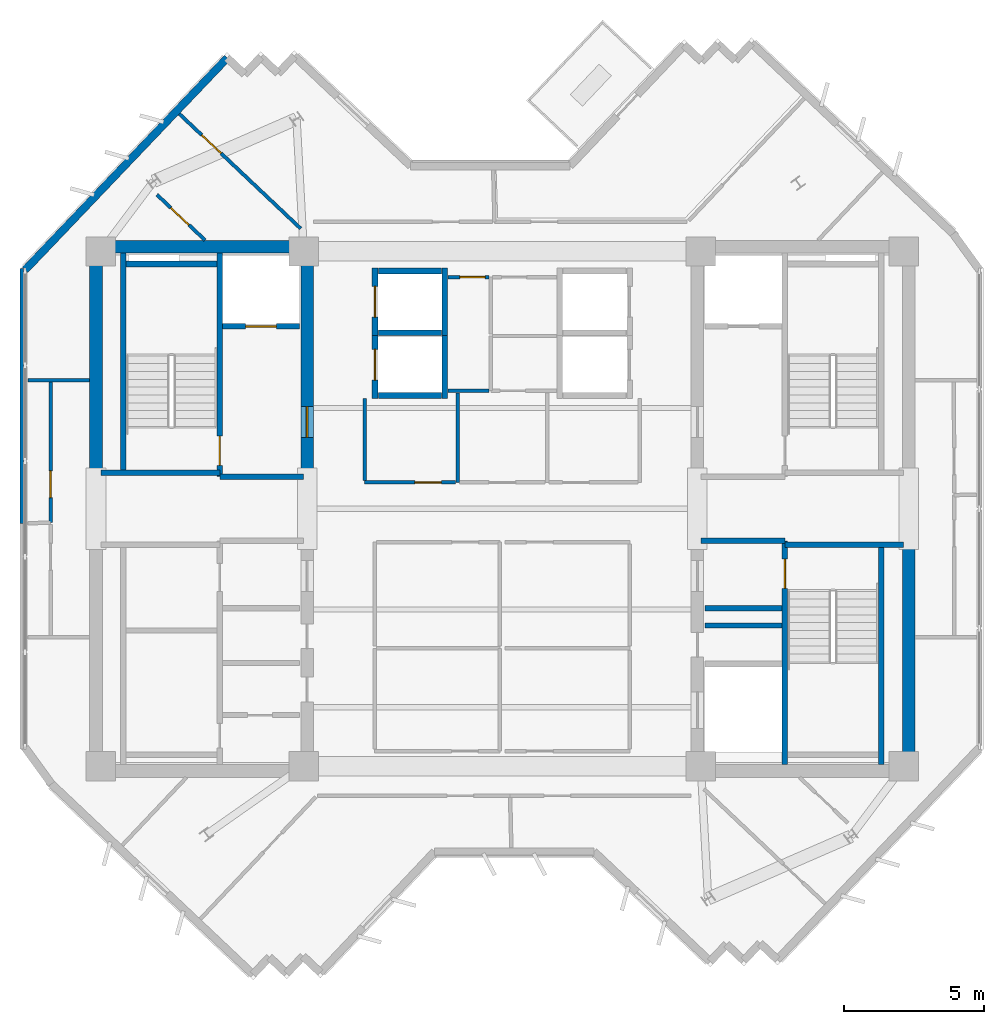
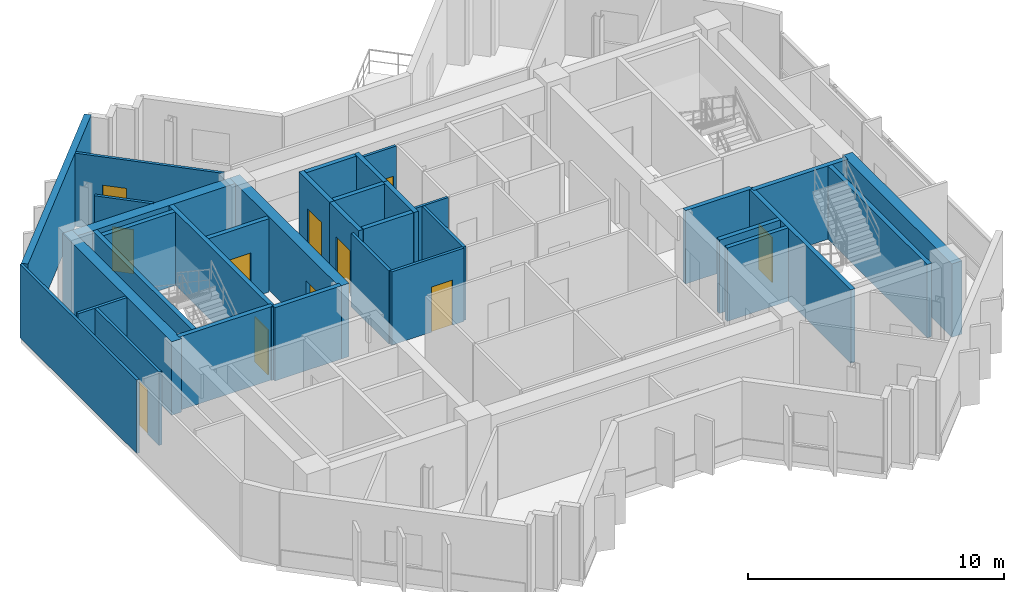
# One storey, part 5 of 9: 34 walls, 11 doors, 11 openings.
"""IFC4 building model written with IfcOpenShell, lengths in metres."""

from ifc_helpers import new_model, si_unit, direction, frame, frame_2d, origin, place, context, subcontext, project, spatial, rectangle, extrude, source, transform, mapped, material, layer, layer_set, type_object, element, fill, save


model = new_model("IFC4")

# Units and contexts
model_context = context("Model", 3, precision=1e-05, world=origin(), true_north=direction((0.0, 1.0)))
body_context = subcontext(model_context, "Body", "Model", "MODEL_VIEW")
ifc_project = project(units=[si_unit("LENGTHUNIT", "METRE"), si_unit("AREAUNIT", "SQUARE_METRE"), si_unit("VOLUMEUNIT", "CUBIC_METRE"), si_unit("PLANEANGLEUNIT", "RADIAN"), si_unit("MASSUNIT", "GRAM", prefix="KILO")], contexts=[model_context])

# Site, building, storey
site_placement = place(None, origin())
site = spatial("IfcSite", under=ifc_project, at=site_placement, CompositionType="ELEMENT")
building_placement = place(site_placement, origin())
building = spatial("IfcBuilding", under=site, at=building_placement, Name="Zahravan Cultural Tower", CompositionType="ELEMENT")
storey_placement = place(building_placement, frame((0.0, 0.0, 302.85009765625)))
storey = spatial("IfcBuildingStorey", under=building, at=storey_placement, Name="L73", CompositionType="ELEMENT", Elevation=302.85009765625)

# Wall, opening, door
ifc_material_1 = material(Name="Concrete C50/60", Category="concrete")
ifc_layer_1 = layer(ifc_material_1, 0.449951171875)
ifc_layer_set_1 = layer_set([ifc_layer_1], Name="Concrete C50/60")
wall_type_1 = type_object("IfcWallType", Name="CW-SHEAR-450-C50", PredefinedType="SHEAR", material=ifc_layer_set_1)
wall_1_placement = place(storey_placement, frame((29.02490234375, 28.050048828125, 0.0), z_axis=(0.0, 0.0, 1.0), x_axis=(0.0, 1.0, 0.0)))
wall_1 = element("IfcWall", 1, at=wall_1_placement, inside=storey, type_object=wall_type_1, Name="L73 Core Shear Wall CW-W-EN-L73", PredefinedType="SHEAR", context=body_context, shape_type="SweptSolid", body=[
    extrude(rectangle(XDim=8.550048828125, YDim=0.449951171875, at=frame_2d((4.27490234375, 0.0))), origin(), (0.0, 0.0, 1.0), 3.5),
])
opening_1_placement = place(wall_1_placement, frame((1.5, 0.0, 0.0)))
opening_1 = element("IfcOpeningElement", 2, at=opening_1_placement, cuts=wall_1, Name="Opening D-L73-06", PredefinedType="OPENING", context=body_context, shape_type="SweptSolid", body=[
    extrude(rectangle(XDim=1.10009765625, YDim=2.199951171875, at=frame_2d((0.550048828125, 1.10009765625))), frame((0.0, 0.23486328125, 0.0), z_axis=(0.0, -1.0, 0.0), x_axis=(1.0, 0.0, 0.0)), (0.0, 0.0, 1.0), 0.469970703125),
])
ifc_material_2 = material(Name="Steel ASTM A572 Grade 50", Category="steel")
door_type_1 = type_object("IfcDoorType", Name="DR-LOBBY-1100", OperationType="NOTDEFINED", PredefinedType="DOOR", material=ifc_material_2)
shared_shape_1 = source(origin(), body_context, "Body", "SweptSolid", [
    extrude(rectangle(XDim=1.10009765625, YDim=2.199951171875, at=frame_2d((0.550048828125, 1.10009765625))), frame((0.0, 0.02490234375, 0.0), z_axis=(0.0, -1.0, 0.0), x_axis=(1.0, 0.0, 0.0)), (0.0, 0.0, 1.0), 0.050048828125),
])
door_1_placement = place(opening_1_placement, origin())
door_1 = element("IfcDoor", 3, at=door_1_placement, inside=storey, type_object=door_type_1, Name="L73 Door D-L73-06", OperationType="SINGLE_SWING_RIGHT", OverallHeight=2.199951171875, OverallWidth=1.10009765625, PredefinedType="DOOR", context=body_context, shape_type="MappedRepresentation", body=[
    mapped(shared_shape_1, transform((0.0, 0.0, 0.0), x_axis=(1.0, 0.0, 0.0), y_axis=(0.0, 1.0, 0.0), z_axis=(0.0, 0.0, 1.0), scale=1.0)),
])
fill(opening_1, door_1)

ifc_material_3 = material(Name="Gypsum plasterboard partition")
ifc_layer_2 = layer(ifc_material_3, 0.125)
ifc_layer_set_2 = layer_set([ifc_layer_2], Name="Gypsum plasterboard partition")
wall_type_2 = type_object("IfcWallType", Name="W-PART-125", PredefinedType="PARTITIONING", material=ifc_layer_set_2)
wall_2_placement = place(storey_placement, frame((23.651123046875, 38.230712890625, 0.0), z_axis=(0.0, 0.0, 1.0), x_axis=(0.726735597886, -0.686917295433, 0.0)))
wall_2 = element("IfcWall", 4, at=wall_2_placement, inside=storey, type_object=wall_type_2, Name="L73 Interior Wall 051", PredefinedType="PARTITIONING", context=body_context, shape_type="SweptSolid", body=[
    extrude(rectangle(XDim=2.36669921875, YDim=0.125, at=frame_2d((1.183349609375, 0.0))), origin(), (0.0, 0.0, 1.0), 3.5),
])
opening_2_placement = place(wall_2_placement, frame((0.6923828125, 0.0, 0.0)))
opening_2 = element("IfcOpeningElement", 5, at=opening_2_placement, cuts=wall_2, Name="Opening D-L73-36", PredefinedType="OPENING", context=body_context, shape_type="SweptSolid", body=[
    extrude(rectangle(XDim=0.8798828125, YDim=2.10009765625, at=frame_2d((0.43994140625, 1.050048828125))), frame((0.0, 0.072509765625, 0.0), z_axis=(0.0, -1.0, 0.0), x_axis=(1.0, 0.0, 0.0)), (0.0, 0.0, 1.0), 0.14501953125),
])
ifc_material_4 = material(Name="Anodised bronze-aluminium mullion", Category="aluminium")
door_type_2 = type_object("IfcDoorType", Name="DR-ROOM-880", OperationType="NOTDEFINED", PredefinedType="DOOR", material=ifc_material_4)
shared_shape_2 = source(origin(), body_context, "Body", "SweptSolid", [
    extrude(rectangle(XDim=0.8798828125, YDim=2.10009765625, at=frame_2d((0.43994140625, 1.050048828125))), frame((0.0, 0.02490234375, 0.0), z_axis=(0.0, -1.0, 0.0), x_axis=(1.0, 0.0, 0.0)), (0.0, 0.0, 1.0), 0.050048828125),
])
door_2_placement = place(opening_2_placement, origin())
door_2 = element("IfcDoor", 6, at=door_2_placement, inside=storey, type_object=door_type_2, Name="L73 Door D-L73-36", OperationType="SINGLE_SWING_RIGHT", OverallHeight=2.10009765625, OverallWidth=0.8798828125, PredefinedType="DOOR", context=body_context, shape_type="MappedRepresentation", body=[
    mapped(shared_shape_2, transform((0.0, 0.0, 0.0), x_axis=(1.0, 0.0, 0.0), y_axis=(0.0, 1.0, 0.0), z_axis=(0.0, 0.0, 1.0), scale=1.0)),
])
fill(opening_2, door_2)

wall_3_placement = place(storey_placement, frame((34.33251953125, 27.93994140625, 0.0), z_axis=(0.0, 0.0, 1.0), x_axis=(-1.0, 0.0, 0.0)))
wall_3 = element("IfcWall", 7, at=wall_3_placement, inside=storey, type_object=wall_type_2, Name="L73 Interior Wall 056", PredefinedType="PARTITIONING", context=body_context, shape_type="SweptSolid", body=[
    extrude(rectangle(XDim=3.25244140625, YDim=0.125, at=frame_2d((1.626220703125, 0.0))), origin(), (0.0, 0.0, 1.0), 3.5),
])
opening_3_placement = place(wall_3_placement, frame((0.506591796875, 0.0, 0.0)))
opening_3 = element("IfcOpeningElement", 8, at=opening_3_placement, cuts=wall_3, Name="Opening D-L73-20", PredefinedType="OPENING", context=body_context, shape_type="SweptSolid", body=[
    extrude(rectangle(XDim=0.949951171875, YDim=2.14990234375, at=frame_2d((0.47509765625, 1.074951171875))), frame((0.0, 0.072509765625, 0.0), z_axis=(0.0, -1.0, 0.0), x_axis=(1.0, 0.0, 0.0)), (0.0, 0.0, 1.0), 0.14501953125),
])
door_type_3 = type_object("IfcDoorType", Name="DR-ROOM-950", OperationType="NOTDEFINED", PredefinedType="DOOR", material=ifc_material_4)
shared_shape_3 = source(origin(), body_context, "Body", "SweptSolid", [
    extrude(rectangle(XDim=0.949951171875, YDim=2.14990234375, at=frame_2d((0.47509765625, 1.074951171875))), frame((0.0, 0.02490234375, 0.0), z_axis=(0.0, -1.0, 0.0), x_axis=(1.0, 0.0, 0.0)), (0.0, 0.0, 1.0), 0.050048828125),
])
door_3_placement = place(opening_3_placement, origin())
door_3 = element("IfcDoor", 9, at=door_3_placement, inside=storey, type_object=door_type_3, Name="L73 Door D-L73-20", OperationType="SINGLE_SWING_RIGHT", OverallHeight=2.14990234375, OverallWidth=0.949951171875, PredefinedType="DOOR", context=body_context, shape_type="MappedRepresentation", body=[
    mapped(shared_shape_3, transform((0.0, 0.0, 0.0), x_axis=(1.0, 0.0, 0.0), y_axis=(0.0, 1.0, 0.0), z_axis=(0.0, 0.0, 1.0), scale=1.0)),
])
fill(opening_3, door_3)

wall_4_placement = place(storey_placement, frame((24.45556640625, 41.11669921875, 0.0), z_axis=(0.0, 0.0, 1.0), x_axis=(0.726761082497, -0.686890332562, 0.0)))
wall_4 = element("IfcWall", 10, at=wall_4_placement, inside=storey, type_object=wall_type_2, Name="L73 Interior Wall 060", PredefinedType="PARTITIONING", context=body_context, shape_type="SweptSolid", body=[
    extrude(rectangle(XDim=5.964111328125, YDim=0.125, at=frame_2d((2.98193359375, 0.0))), origin(), (0.0, 0.0, 1.0), 3.5),
])
opening_4_placement = place(wall_4_placement, frame((1.10302734375, 0.0, 0.0)))
opening_4 = element("IfcOpeningElement", 11, at=opening_4_placement, cuts=wall_4, Name="Opening D-L73-33", PredefinedType="OPENING", context=body_context, shape_type="SweptSolid", body=[
    extrude(rectangle(XDim=0.949951171875, YDim=2.14990234375, at=frame_2d((0.47509765625, 1.074951171875))), frame((0.0, 0.072509765625, 0.0), z_axis=(0.0, -1.0, 0.0), x_axis=(1.0, 0.0, 0.0)), (0.0, 0.0, 1.0), 0.14501953125),
])
door_4_placement = place(opening_4_placement, origin())
door_4 = element("IfcDoor", 12, at=door_4_placement, inside=storey, type_object=door_type_3, Name="L73 Door D-L73-33", OperationType="SINGLE_SWING_LEFT", OverallHeight=2.14990234375, OverallWidth=0.949951171875, PredefinedType="DOOR", context=body_context, shape_type="MappedRepresentation", body=[
    mapped(shared_shape_3, transform((0.0, 0.0, 0.0), x_axis=(1.0, 0.0, 0.0), y_axis=(0.0, 1.0, 0.0), z_axis=(0.0, 0.0, 1.0), scale=1.0)),
])
fill(opening_4, door_4)

wall_5_placement = place(storey_placement, frame((19.8505859375, 31.529052734375, 0.0), z_axis=(0.0, 0.0, 1.0), x_axis=(-9.7219521e-05, -0.999999995274, 0.0)))
wall_5 = element("IfcWall", 13, at=wall_5_placement, inside=storey, type_object=wall_type_2, Name="L73 Interior Wall 078", PredefinedType="PARTITIONING", context=body_context, shape_type="SweptSolid", body=[
    extrude(rectangle(XDim=5.0224609375, YDim=0.125, at=frame_2d((2.51123046875, 0.0))), origin(), (0.0, 0.0, 1.0), 3.5),
])
opening_5_placement = place(wall_5_placement, frame((3.176513671875, 0.0, 0.0)))
opening_5 = element("IfcOpeningElement", 14, at=opening_5_placement, cuts=wall_5, Name="Opening D-L73-26", PredefinedType="OPENING", context=body_context, shape_type="SweptSolid", body=[
    extrude(rectangle(XDim=0.949951171875, YDim=2.14990234375, at=frame_2d((0.47509765625, 1.074951171875))), frame((0.0, 0.072509765625, 0.0), z_axis=(0.0, -1.0, 0.0), x_axis=(1.0, 0.0, 0.0)), (0.0, 0.0, 1.0), 0.14501953125),
])
door_5_placement = place(opening_5_placement, origin())
door_5 = element("IfcDoor", 15, at=door_5_placement, inside=storey, type_object=door_type_3, Name="L73 Door D-L73-26", OperationType="SINGLE_SWING_RIGHT", OverallHeight=2.14990234375, OverallWidth=0.949951171875, PredefinedType="DOOR", context=body_context, shape_type="MappedRepresentation", body=[
    mapped(shared_shape_3, transform((0.0, 0.0, 0.0), x_axis=(1.0, 0.0, 0.0), y_axis=(0.0, 1.0, 0.0), z_axis=(0.0, 0.0, 1.0), scale=1.0)),
])
fill(opening_5, door_5)

ifc_material_5 = material(Name="Concrete C45/55", Category="concrete")
ifc_layer_3 = layer(ifc_material_5, 0.199951171875)
ifc_layer_set_3 = layer_set([ifc_layer_3], Name="Concrete C45/55")
wall_type_3 = type_object("IfcWallType", Name="W-SHAFT-200", PredefinedType="SOLIDWALL", material=ifc_layer_set_3)
wall_6_placement = place(storey_placement, frame((25.89990234375, 28.14990234375, 0.0), z_axis=(0.0, 0.0, 1.0), x_axis=(0.0, 1.0, 0.0)))
wall_6 = element("IfcWall", 16, at=wall_6_placement, inside=storey, type_object=wall_type_3, Name="L73 Interior Wall 006", PredefinedType="SOLIDWALL", context=body_context, shape_type="SweptSolid", body=[
    extrude(rectangle(XDim=8.0, YDim=0.199951171875, at=frame_2d((4.0, 0.0))), origin(), (0.0, 0.0, 1.0), 3.5),
])
opening_6_placement = place(wall_6_placement, frame((0.39990234375, 0.0, 0.0)))
opening_6 = element("IfcOpeningElement", 17, at=opening_6_placement, cuts=wall_6, Name="Opening D-L73-01", PredefinedType="OPENING", context=body_context, shape_type="SweptSolid", body=[
    extrude(rectangle(XDim=1.050048828125, YDim=2.14990234375, at=frame_2d((0.52490234375, 1.074951171875))), frame((0.0, 0.10986328125, 0.0), z_axis=(0.0, -1.0, 0.0), x_axis=(1.0, 0.0, 0.0)), (0.0, 0.0, 1.0), 0.219970703125),
])
door_type_4 = type_object("IfcDoorType", Name="DR-STAIR-1050", OperationType="NOTDEFINED", PredefinedType="DOOR", material=ifc_material_2)
shared_shape_4 = source(origin(), body_context, "Body", "SweptSolid", [
    extrude(rectangle(XDim=1.050048828125, YDim=2.14990234375, at=frame_2d((0.52490234375, 1.074951171875))), frame((0.0, 0.02490234375, 0.0), z_axis=(0.0, -1.0, 0.0), x_axis=(1.0, 0.0, 0.0)), (0.0, 0.0, 1.0), 0.050048828125),
])
door_6_placement = place(opening_6_placement, origin())
door_6 = element("IfcDoor", 18, at=door_6_placement, inside=storey, type_object=door_type_4, Name="L73 Door D-L73-01", OperationType="SINGLE_SWING_LEFT", OverallHeight=2.14990234375, OverallWidth=1.050048828125, PredefinedType="DOOR", context=body_context, shape_type="MappedRepresentation", body=[
    mapped(shared_shape_4, transform((0.0, 0.0, 0.0), x_axis=(1.0, 0.0, 0.0), y_axis=(0.0, 1.0, 0.0), z_axis=(0.0, 0.0, 1.0), scale=1.0)),
])
fill(opening_6, door_6)

wall_7_placement = place(storey_placement, frame((46.10009765625, 17.85009765625, 0.0), z_axis=(0.0, 0.0, 1.0), x_axis=(0.0, 1.0, 0.0)))
wall_7 = element("IfcWall", 19, at=wall_7_placement, inside=storey, type_object=wall_type_3, Name="L73 Interior Wall 007", PredefinedType="SOLIDWALL", context=body_context, shape_type="SweptSolid", body=[
    extrude(rectangle(XDim=8.0, YDim=0.199951171875, at=frame_2d((4.0, 0.0))), origin(), (0.0, 0.0, 1.0), 3.5),
])
opening_7_placement = place(wall_7_placement, frame((6.300048828125, 0.0, 0.0)))
opening_7 = element("IfcOpeningElement", 20, at=opening_7_placement, cuts=wall_7, Name="Opening D-L73-03", PredefinedType="OPENING", context=body_context, shape_type="SweptSolid", body=[
    extrude(rectangle(XDim=1.050048828125, YDim=2.14990234375, at=frame_2d((0.52490234375, 1.074951171875))), frame((0.0, 0.10986328125, 0.0), z_axis=(0.0, -1.0, 0.0), x_axis=(1.0, 0.0, 0.0)), (0.0, 0.0, 1.0), 0.219970703125),
])
door_7_placement = place(opening_7_placement, origin())
door_7 = element("IfcDoor", 21, at=door_7_placement, inside=storey, type_object=door_type_4, Name="L73 Door D-L73-03", OperationType="SINGLE_SWING_LEFT", OverallHeight=2.14990234375, OverallWidth=1.050048828125, PredefinedType="DOOR", context=body_context, shape_type="MappedRepresentation", body=[
    mapped(shared_shape_4, transform((0.0, 0.0, 0.0), x_axis=(1.0, 0.0, 0.0), y_axis=(0.0, 1.0, 0.0), z_axis=(0.0, 0.0, 1.0), scale=1.0)),
])
fill(opening_7, door_7)

wall_8_placement = place(storey_placement, frame((26.0, 33.52001953125, 0.0), z_axis=(0.0, 0.0, 1.0), x_axis=(1.0, 0.0, 0.0)))
wall_8 = element("IfcWall", 22, at=wall_8_placement, inside=storey, type_object=wall_type_3, Name="L73 Interior Wall 022", PredefinedType="SOLIDWALL", context=body_context, shape_type="SweptSolid", body=[
    extrude(rectangle(XDim=2.75, YDim=0.199951171875, at=frame_2d((1.375, 0.0))), origin(), (0.0, 0.0, 1.0), 3.5),
])
opening_8_placement = place(wall_8_placement, frame((0.820068359375, 0.0, 0.0)))
opening_8 = element("IfcOpeningElement", 23, at=opening_8_placement, cuts=wall_8, Name="Opening LD-L73-01", PredefinedType="OPENING", context=body_context, shape_type="SweptSolid", body=[
    extrude(rectangle(XDim=1.10009765625, YDim=2.14990234375, at=frame_2d((0.550048828125, 1.074951171875))), frame((0.0, 0.10986328125, 0.0), z_axis=(0.0, -1.0, 0.0), x_axis=(1.0, 0.0, 0.0)), (0.0, 0.0, 1.0), 0.219970703125),
])
door_type_5 = type_object("IfcDoorType", Name="DR-LIFT-1100", OperationType="DOUBLE_DOOR_SLIDING", PredefinedType="DOOR", material=ifc_material_2)
shared_shape_5 = source(origin(), body_context, "Body", "SweptSolid", [
    extrude(rectangle(XDim=1.10009765625, YDim=2.14990234375, at=frame_2d((0.550048828125, 1.074951171875))), frame((0.0, 0.02490234375, 0.0), z_axis=(0.0, -1.0, 0.0), x_axis=(1.0, 0.0, 0.0)), (0.0, 0.0, 1.0), 0.050048828125),
])
door_8_placement = place(opening_8_placement, origin())
door_8 = element("IfcDoor", 24, at=door_8_placement, inside=storey, type_object=door_type_5, Name="L73 Door LD-L73-01", OperationType="DOUBLE_DOOR_SLIDING", OverallHeight=2.14990234375, OverallWidth=1.10009765625, PredefinedType="DOOR", context=body_context, shape_type="MappedRepresentation", body=[
    mapped(shared_shape_5, transform((0.0, 0.0, 0.0), x_axis=(1.0, 0.0, 0.0), y_axis=(0.0, 1.0, 0.0), z_axis=(0.0, 0.0, 1.0), scale=1.0)),
])
fill(opening_8, door_8)

wall_9_placement = place(storey_placement, frame((31.449951171875, 33.199951171875, 0.0), z_axis=(0.0, 0.0, 1.0), x_axis=(0.0, 1.0, 0.0)))
wall_9 = element("IfcWall", 25, at=wall_9_placement, inside=storey, type_object=wall_type_3, Name="L73 Interior Wall 030", PredefinedType="SOLIDWALL", context=body_context, shape_type="SweptSolid", body=[
    extrude(rectangle(XDim=2.400146484375, YDim=0.199951171875, at=frame_2d((1.2001953125, 0.0))), origin(), (0.0, 0.0, 1.0), 3.5),
])
opening_9_placement = place(wall_9_placement, frame((0.64990234375, 0.0, 0.0)))
opening_9 = element("IfcOpeningElement", 26, at=opening_9_placement, cuts=wall_9, Name="Opening LD-L73-04", PredefinedType="OPENING", context=body_context, shape_type="SweptSolid", body=[
    extrude(rectangle(XDim=1.10009765625, YDim=2.14990234375, at=frame_2d((0.550048828125, 1.074951171875))), frame((0.0, 0.10986328125, 0.0), z_axis=(0.0, -1.0, 0.0), x_axis=(1.0, 0.0, 0.0)), (0.0, 0.0, 1.0), 0.219970703125),
])
door_9_placement = place(opening_9_placement, origin())
door_9 = element("IfcDoor", 27, at=door_9_placement, inside=storey, type_object=door_type_5, Name="L73 Door LD-L73-04", OperationType="DOUBLE_DOOR_SLIDING", OverallHeight=2.14990234375, OverallWidth=1.10009765625, PredefinedType="DOOR", context=body_context, shape_type="MappedRepresentation", body=[
    mapped(shared_shape_5, transform((0.0, 0.0, 0.0), x_axis=(1.0, 0.0, 0.0), y_axis=(0.0, 1.0, 0.0), z_axis=(0.0, 0.0, 1.0), scale=1.0)),
])
fill(opening_9, door_9)

wall_10_placement = place(storey_placement, frame((31.449951171875, 30.949951171875, 0.0), z_axis=(0.0, 0.0, 1.0), x_axis=(0.0, 1.0, 0.0)))
wall_10 = element("IfcWall", 28, at=wall_10_placement, inside=storey, type_object=wall_type_3, Name="L73 Interior Wall 034", PredefinedType="SOLIDWALL", context=body_context, shape_type="SweptSolid", body=[
    extrude(rectangle(XDim=2.400146484375, YDim=0.199951171875, at=frame_2d((1.2001953125, 0.0))), origin(), (0.0, 0.0, 1.0), 3.5),
])
opening_10_placement = place(wall_10_placement, frame((0.64990234375, 0.0, 0.0)))
opening_10 = element("IfcOpeningElement", 29, at=opening_10_placement, cuts=wall_10, Name="Opening LD-L73-05", PredefinedType="OPENING", context=body_context, shape_type="SweptSolid", body=[
    extrude(rectangle(XDim=1.10009765625, YDim=2.14990234375, at=frame_2d((0.550048828125, 1.074951171875))), frame((0.0, 0.10986328125, 0.0), z_axis=(0.0, -1.0, 0.0), x_axis=(1.0, 0.0, 0.0)), (0.0, 0.0, 1.0), 0.219970703125),
])
door_10_placement = place(opening_10_placement, origin())
door_10 = element("IfcDoor", 30, at=door_10_placement, inside=storey, type_object=door_type_5, Name="L73 Door LD-L73-05", OperationType="DOUBLE_DOOR_SLIDING", OverallHeight=2.14990234375, OverallWidth=1.10009765625, PredefinedType="DOOR", context=body_context, shape_type="MappedRepresentation", body=[
    mapped(shared_shape_5, transform((0.0, 0.0, 0.0), x_axis=(1.0, 0.0, 0.0), y_axis=(0.0, 1.0, 0.0), z_axis=(0.0, 0.0, 1.0), scale=1.0)),
])
fill(opening_10, door_10)

ifc_layer_4 = layer(ifc_material_3, 0.114990234375)
ifc_layer_set_4 = layer_set([ifc_layer_4], Name="Gypsum plasterboard partition")
wall_type_4 = type_object("IfcWallType", Name="W-WC-115", PredefinedType="PARTITIONING", material=ifc_layer_set_4)
wall_11_placement = place(storey_placement, frame((34.054931640625, 35.280029296875, 0.0), z_axis=(0.0, 0.0, 1.0), x_axis=(1.0, 0.0, 0.0)))
wall_11 = element("IfcWall", 31, at=wall_11_placement, inside=storey, type_object=wall_type_4, Name="L73 Interior Wall 050", PredefinedType="PARTITIONING", context=body_context, shape_type="SweptSolid", body=[
    extrude(rectangle(XDim=1.47265625, YDim=0.114990234375, at=frame_2d((0.736328125, 0.0))), origin(), (0.0, 0.0, 1.0), 3.5),
])
opening_11_placement = place(wall_11_placement, frame((0.4326171875, 0.0, 0.0)))
opening_11 = element("IfcOpeningElement", 32, at=opening_11_placement, cuts=wall_11, Name="Opening D-L73-18", PredefinedType="OPENING", context=body_context, shape_type="SweptSolid", body=[
    extrude(rectangle(XDim=0.89990234375, YDim=2.10009765625, at=frame_2d((0.449951171875, 1.050048828125))), frame((0.0, 0.0673828125, 0.0), z_axis=(0.0, -1.0, 0.0), x_axis=(1.0, 0.0, 0.0)), (0.0, 0.0, 1.0), 0.135009765625),
])
door_type_6 = type_object("IfcDoorType", Name="DR-WC-900", OperationType="NOTDEFINED", PredefinedType="DOOR", material=ifc_material_4)
shared_shape_6 = source(origin(), body_context, "Body", "SweptSolid", [
    extrude(rectangle(XDim=0.89990234375, YDim=2.10009765625, at=frame_2d((0.449951171875, 1.050048828125))), frame((0.0, 0.02490234375, 0.0), z_axis=(0.0, -1.0, 0.0), x_axis=(1.0, 0.0, 0.0)), (0.0, 0.0, 1.0), 0.050048828125),
])
door_11_placement = place(opening_11_placement, origin())
door_11 = element("IfcDoor", 33, at=door_11_placement, inside=storey, type_object=door_type_6, Name="L73 Door D-L73-18", OperationType="SINGLE_SWING_RIGHT", OverallHeight=2.10009765625, OverallWidth=0.89990234375, PredefinedType="DOOR", context=body_context, shape_type="MappedRepresentation", body=[
    mapped(shared_shape_6, transform((0.0, 0.0, 0.0), x_axis=(1.0, 0.0, 0.0), y_axis=(0.0, 1.0, 0.0), z_axis=(0.0, 0.0, 1.0), scale=1.0)),
])
fill(opening_11, door_11)

# Walls
shared_shape_7 = source(origin(), body_context, "Body", "SweptSolid", [
    extrude(rectangle(XDim=8.550048828125, YDim=0.449951171875, at=frame_2d((4.27490234375, 0.0))), origin(), (0.0, 0.0, 1.0), 3.5),
])
for number, where, z_axis, x_axis, name in (
    (34, (21.47509765625, 28.050048828125, 0.0), (0.0, 0.0, 1.0), (0.0, 1.0, 0.0), "L73 Core Shear Wall CW-W-WN-L73"),
    (35, (50.52490234375, 17.39990234375, 0.0), (0.0, 0.0, 1.0), (0.0, 1.0, 0.0), "L73 Core Shear Wall CW-E-ES-L73"),
):
    element("IfcWall", number, at=place(storey_placement, frame(where, z_axis=z_axis, x_axis=x_axis)), inside=storey, type_object=wall_type_1, Name=name, PredefinedType="SHEAR", context=body_context, shape_type="MappedRepresentation", body=[
        mapped(shared_shape_7, transform((0.0, 0.0, 0.0), x_axis=(1.0, 0.0, 0.0), y_axis=(0.0, 1.0, 0.0), z_axis=(0.0, 0.0, 1.0), scale=1.0)),
    ])
shared_shape_8 = source(origin(), body_context, "Body", "SweptSolid", [
    extrude(rectangle(XDim=7.10009765625, YDim=0.449951171875, at=frame_2d((3.550048828125, 0.0))), origin(), (0.0, 0.0, 1.0), 3.5),
])
wall_12_placement = place(storey_placement, frame((21.699951171875, 36.375, 0.0), z_axis=(0.0, 0.0, 1.0), x_axis=(1.0, 0.0, 0.0)))
element("IfcWall", 36, at=wall_12_placement, inside=storey, type_object=wall_type_1, Name="L73 Core Shear Wall CW-W-N-L73", PredefinedType="SHEAR", context=body_context, shape_type="MappedRepresentation", body=[
    mapped(shared_shape_8, transform((0.0, 0.0, 0.0), x_axis=(1.0, 0.0, 0.0), y_axis=(0.0, 1.0, 0.0), z_axis=(0.0, 0.0, 1.0), scale=1.0)),
])
ifc_material_6 = material(Name="Precast concrete C40/50", Category="concrete")
ifc_layer_5 = layer(ifc_material_6, 0.280029296875)
ifc_layer_set_5 = layer_set([ifc_layer_5], Name="Precast concrete C40/50")
wall_type_5 = type_object("IfcWallType", Name="EW-TC-280", PredefinedType="SOLIDWALL", material=ifc_layer_set_5)
shared_shape_9 = source(origin(), body_context, "Body", "SweptSolid", [
    extrude(rectangle(XDim=10.469970703125, YDim=0.280029296875, at=frame_2d((5.23486328125, 0.0))), origin(), (0.0, 0.0, 1.0), 3.5),
])
wall_13_placement = place(storey_placement, frame((18.93994140625, 35.5419921875, 0.0), z_axis=(0.0, 0.0, 1.0), x_axis=(0.690070788875, 0.723741878256, 0.0)))
element("IfcWall", 37, at=wall_13_placement, inside=storey, type_object=wall_type_5, Name="L73 Exterior Masonry Frame Wall 22", PredefinedType="SOLIDWALL", context=body_context, shape_type="MappedRepresentation", body=[
    mapped(shared_shape_9, transform((0.0, 0.0, 0.0), x_axis=(1.0, 0.0, 0.0), y_axis=(0.0, 1.0, 0.0), z_axis=(0.0, 0.0, 1.0), scale=1.0)),
])
shared_shape_10 = source(origin(), body_context, "Body", "SweptSolid", [
    extrude(rectangle(XDim=7.869873046875, YDim=0.199951171875, at=frame_2d((3.93505859375, 0.0))), origin(), (0.0, 0.0, 1.0), 3.5),
])
for number, where, z_axis, x_axis, name in (
    (38, (22.449951171875, 28.280029296875, 0.0), (0.0, 0.0, 1.0), (0.0, 1.0, 0.0), "L73 Interior Wall 002"),
    (39, (49.550048828125, 17.85009765625, 0.0), (0.0, 0.0, 1.0), (0.0, 1.0, 0.0), "L73 Interior Wall 003"),
):
    element("IfcWall", number, at=place(storey_placement, frame(where, z_axis=z_axis, x_axis=x_axis)), inside=storey, type_object=wall_type_3, Name=name, PredefinedType="SOLIDWALL", context=body_context, shape_type="MappedRepresentation", body=[
        mapped(shared_shape_10, transform((0.0, 0.0, 0.0), x_axis=(1.0, 0.0, 0.0), y_axis=(0.0, 1.0, 0.0), z_axis=(0.0, 0.0, 1.0), scale=1.0)),
    ])
shared_shape_11 = source(origin(), body_context, "Body", "SweptSolid", [
    extrude(rectangle(XDim=4.25, YDim=0.199951171875, at=frame_2d((2.125, 0.0))), origin(), (0.0, 0.0, 1.0), 3.5),
])
for number, where, z_axis, x_axis, name in (
    (40, (21.64990234375, 28.284912109375, 0.0), (0.0, 0.0, 1.0), (1.0, 0.0, 0.0), "L73 Interior Wall 011"),
    (41, (46.10009765625, 25.715087890625, 0.0), (0.0, 0.0, 1.0), (1.0, 0.0, 0.0), "L73 Interior Wall 014"),
):
    element("IfcWall", number, at=place(storey_placement, frame(where, z_axis=z_axis, x_axis=x_axis)), inside=storey, type_object=wall_type_3, Name=name, PredefinedType="SOLIDWALL", context=body_context, shape_type="MappedRepresentation", body=[
        mapped(shared_shape_11, transform((0.0, 0.0, 0.0), x_axis=(1.0, 0.0, 0.0), y_axis=(0.0, 1.0, 0.0), z_axis=(0.0, 0.0, 1.0), scale=1.0)),
    ])
shared_shape_12 = source(origin(), body_context, "Body", "SweptSolid", [
    extrude(rectangle(XDim=3.0, YDim=0.199951171875, at=frame_2d((1.5, 0.0))), origin(), (0.0, 0.0, 1.0), 3.5),
])
for number, where, z_axis, x_axis, name in (
    (42, (25.89990234375, 28.14990234375, 0.0), (0.0, 0.0, 1.0), (1.0, 0.0, 0.0), "L73 Interior Wall 012"),
    (43, (43.10009765625, 25.85009765625, 0.0), (0.0, 0.0, 1.0), (1.0, 0.0, 0.0), "L73 Interior Wall 013"),
):
    element("IfcWall", number, at=place(storey_placement, frame(where, z_axis=z_axis, x_axis=x_axis)), inside=storey, type_object=wall_type_3, Name=name, PredefinedType="SOLIDWALL", context=body_context, shape_type="MappedRepresentation", body=[
        mapped(shared_shape_12, transform((0.0, 0.0, 0.0), x_axis=(1.0, 0.0, 0.0), y_axis=(0.0, 1.0, 0.0), z_axis=(0.0, 0.0, 1.0), scale=1.0)),
    ])
shared_shape_13 = source(origin(), body_context, "Body", "SweptSolid", [
    extrude(rectangle(XDim=3.25, YDim=0.199951171875, at=frame_2d((1.625, 0.0))), origin(), (0.0, 0.0, 1.0), 3.5),
])
wall_14_placement = place(storey_placement, frame((22.550048828125, 35.75, 0.0), z_axis=(0.0, 0.0, 1.0), x_axis=(1.0, 0.0, 0.0)))
element("IfcWall", 44, at=wall_14_placement, inside=storey, type_object=wall_type_3, Name="L73 Interior Wall 017", PredefinedType="SOLIDWALL", context=body_context, shape_type="MappedRepresentation", body=[
    mapped(shared_shape_13, transform((0.0, 0.0, 0.0), x_axis=(1.0, 0.0, 0.0), y_axis=(0.0, 1.0, 0.0), z_axis=(0.0, 0.0, 1.0), scale=1.0)),
])
shared_shape_14 = source(origin(), body_context, "Body", "SweptSolid", [
    extrude(rectangle(XDim=2.75, YDim=0.199951171875, at=frame_2d((1.375, 0.0))), origin(), (0.0, 0.0, 1.0), 3.5),
])
wall_15_placement = place(storey_placement, frame((43.25, 23.449951171875, 0.0), z_axis=(0.0, 0.0, 1.0), x_axis=(1.0, 0.0, 0.0)))
element("IfcWall", 45, at=wall_15_placement, inside=storey, type_object=wall_type_3, Name="L73 Interior Wall 025", PredefinedType="SOLIDWALL", context=body_context, shape_type="MappedRepresentation", body=[
    mapped(shared_shape_14, transform((0.0, 0.0, 0.0), x_axis=(1.0, 0.0, 0.0), y_axis=(0.0, 1.0, 0.0), z_axis=(0.0, 0.0, 1.0), scale=1.0)),
])
ifc_layer_6 = layer(ifc_material_3, 0.179931640625)
ifc_layer_set_6 = layer_set([ifc_layer_6], Name="Gypsum plasterboard partition")
wall_type_6 = type_object("IfcWallType", Name="W-COMP-180", PredefinedType="PARTITIONING", material=ifc_layer_set_6)
shared_shape_15 = source(origin(), body_context, "Body", "SweptSolid", [
    extrude(rectangle(XDim=2.75, YDim=0.179931640625, at=frame_2d((1.375, 0.0))), origin(), (0.0, 0.0, 1.0), 3.5),
])
wall_16_placement = place(storey_placement, frame((43.25, 22.820068359375, 0.0), z_axis=(0.0, 0.0, 1.0), x_axis=(1.0, 0.0, 0.0)))
element("IfcWall", 46, at=wall_16_placement, inside=storey, type_object=wall_type_6, Name="L73 Interior Wall 029", PredefinedType="PARTITIONING", context=body_context, shape_type="MappedRepresentation", body=[
    mapped(shared_shape_15, transform((0.0, 0.0, 0.0), x_axis=(1.0, 0.0, 0.0), y_axis=(0.0, 1.0, 0.0), z_axis=(0.0, 0.0, 1.0), scale=1.0)),
])
shared_shape_16 = source(origin(), body_context, "Body", "SweptSolid", [
    extrude(rectangle(XDim=2.400146484375, YDim=0.199951171875, at=frame_2d((1.2001953125, 0.0))), origin(), (0.0, 0.0, 1.0), 3.5),
])
for number, where, z_axis, x_axis, name in (
    (47, (33.949951171875, 33.199951171875, 0.0), (0.0, 0.0, 1.0), (0.0, 1.0, 0.0), "L73 Interior Wall 031"),
    (48, (33.949951171875, 30.949951171875, 0.0), (0.0, 0.0, 1.0), (0.0, 1.0, 0.0), "L73 Interior Wall 035"),
):
    element("IfcWall", number, at=place(storey_placement, frame(where, z_axis=z_axis, x_axis=x_axis)), inside=storey, type_object=wall_type_3, Name=name, PredefinedType="SOLIDWALL", context=body_context, shape_type="MappedRepresentation", body=[
        mapped(shared_shape_16, transform((0.0, 0.0, 0.0), x_axis=(1.0, 0.0, 0.0), y_axis=(0.0, 1.0, 0.0), z_axis=(0.0, 0.0, 1.0), scale=1.0)),
    ])
shared_shape_17 = source(origin(), body_context, "Body", "SweptSolid", [
    extrude(rectangle(XDim=2.260009765625, YDim=0.199951171875, at=frame_2d((1.1298828125, 0.0))), origin(), (0.0, 0.0, 1.0), 3.5),
])
for number, where, z_axis, x_axis, name in (
    (49, (31.570068359375, 33.300048828125, 0.0), (0.0, 0.0, 1.0), (1.0, 0.0, 0.0), "L73 Interior Wall 032"),
    (50, (31.570068359375, 35.5, 0.0), (0.0, 0.0, 1.0), (1.0, 0.0, 0.0), "L73 Interior Wall 033"),
    (51, (31.570068359375, 31.050048828125, 0.0), (0.0, 0.0, 1.0), (1.0, 0.0, 0.0), "L73 Interior Wall 036"),
):
    element("IfcWall", number, at=place(storey_placement, frame(where, z_axis=z_axis, x_axis=x_axis)), inside=storey, type_object=wall_type_3, Name=name, PredefinedType="SOLIDWALL", context=body_context, shape_type="MappedRepresentation", body=[
        mapped(shared_shape_17, transform((0.0, 0.0, 0.0), x_axis=(1.0, 0.0, 0.0), y_axis=(0.0, 1.0, 0.0), z_axis=(0.0, 0.0, 1.0), scale=1.0)),
    ])
shared_shape_18 = source(origin(), body_context, "Body", "SweptSolid", [
    extrude(rectangle(XDim=1.47265625, YDim=0.114990234375, at=frame_2d((0.736328125, 0.0))), origin(), (0.0, 0.0, 1.0), 3.5),
])
wall_17_placement = place(storey_placement, frame((35.527587890625, 31.219970703125, 0.0), z_axis=(0.0, 0.0, 1.0), x_axis=(-1.0, 0.0, 0.0)))
element("IfcWall", 52, at=wall_17_placement, inside=storey, type_object=wall_type_4, Name="L73 Interior Wall 049", PredefinedType="PARTITIONING", context=body_context, shape_type="MappedRepresentation", body=[
    mapped(shared_shape_18, transform((0.0, 0.0, 0.0), x_axis=(1.0, 0.0, 0.0), y_axis=(0.0, 1.0, 0.0), z_axis=(0.0, 0.0, 1.0), scale=1.0)),
])
shared_shape_19 = source(origin(), body_context, "Body", "SweptSolid", [
    extrude(rectangle(XDim=3.199951171875, YDim=0.125, at=frame_2d((1.60009765625, 0.0))), origin(), (0.0, 0.0, 1.0), 3.5),
])
wall_18_placement = place(storey_placement, frame((34.39990234375, 27.93994140625, 0.0), z_axis=(0.0, 0.0, 1.0), x_axis=(0.0, 1.0, 0.0)))
element("IfcWall", 53, at=wall_18_placement, inside=storey, type_object=wall_type_2, Name="L73 Interior Wall 053", PredefinedType="PARTITIONING", context=body_context, shape_type="MappedRepresentation", body=[
    mapped(shared_shape_19, transform((0.0, 0.0, 0.0), x_axis=(1.0, 0.0, 0.0), y_axis=(0.0, 1.0, 0.0), z_axis=(0.0, 0.0, 1.0), scale=1.0)),
])
shared_shape_20 = source(origin(), body_context, "Body", "SweptSolid", [
    extrude(rectangle(XDim=2.9423828125, YDim=0.125, at=frame_2d((1.47119140625, 0.0))), origin(), (0.0, 0.0, 1.0), 3.5),
])
wall_19_placement = place(storey_placement, frame((31.080078125, 28.007568359375, 0.0), z_axis=(0.0, 0.0, 1.0), x_axis=(0.0, 1.0, 0.0)))
element("IfcWall", 54, at=wall_19_placement, inside=storey, type_object=wall_type_2, Name="L73 Interior Wall 057", PredefinedType="PARTITIONING", context=body_context, shape_type="MappedRepresentation", body=[
    mapped(shared_shape_20, transform((0.0, 0.0, 0.0), x_axis=(1.0, 0.0, 0.0), y_axis=(0.0, 1.0, 0.0), z_axis=(0.0, 0.0, 1.0), scale=1.0)),
])
shared_shape_21 = source(origin(), body_context, "Body", "SweptSolid", [
    extrude(rectangle(XDim=2.205078125, YDim=0.125, at=frame_2d((1.1025390625, 0.0))), origin(), (0.0, 0.0, 1.0), 3.5),
])
wall_20_placement = place(storey_placement, frame((21.2451171875, 31.599853515625, 0.0), z_axis=(0.0, 0.0, 1.0), x_axis=(-0.999997033492, -0.002435776654, 0.0)))
element("IfcWall", 55, at=wall_20_placement, inside=storey, type_object=wall_type_2, Name="L73 Interior Wall 077", PredefinedType="PARTITIONING", context=body_context, shape_type="MappedRepresentation", body=[
    mapped(shared_shape_21, transform((0.0, 0.0, 0.0), x_axis=(1.0, 0.0, 0.0), y_axis=(0.0, 1.0, 0.0), z_axis=(0.0, 0.0, 1.0), scale=1.0)),
])
shared_shape_22 = source(origin(), body_context, "Body", "SweptSolid", [
    extrude(rectangle(XDim=9.119140625, YDim=0.125, at=frame_2d((4.5595703125, 0.0))), origin(), (0.0, 0.0, 1.0), 3.5),
])
wall_21_placement = place(storey_placement, frame((18.820068359375, 26.47265625, 0.0), z_axis=(0.0, 0.0, 1.0), x_axis=(0.0, 1.0, 0.0)))
element("IfcWall", 56, at=wall_21_placement, inside=storey, type_object=wall_type_2, Name="L73 Interior Wall 080", PredefinedType="PARTITIONING", context=body_context, shape_type="MappedRepresentation", body=[
    mapped(shared_shape_22, transform((0.0, 0.0, 0.0), x_axis=(1.0, 0.0, 0.0), y_axis=(0.0, 1.0, 0.0), z_axis=(0.0, 0.0, 1.0), scale=1.0)),
])

save(model, "model.ifc")
